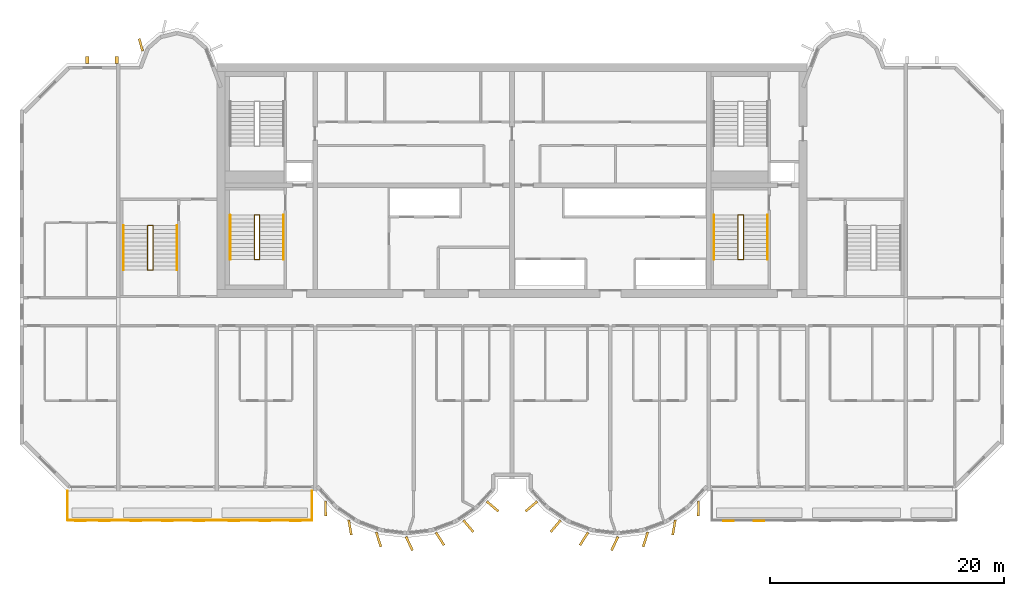
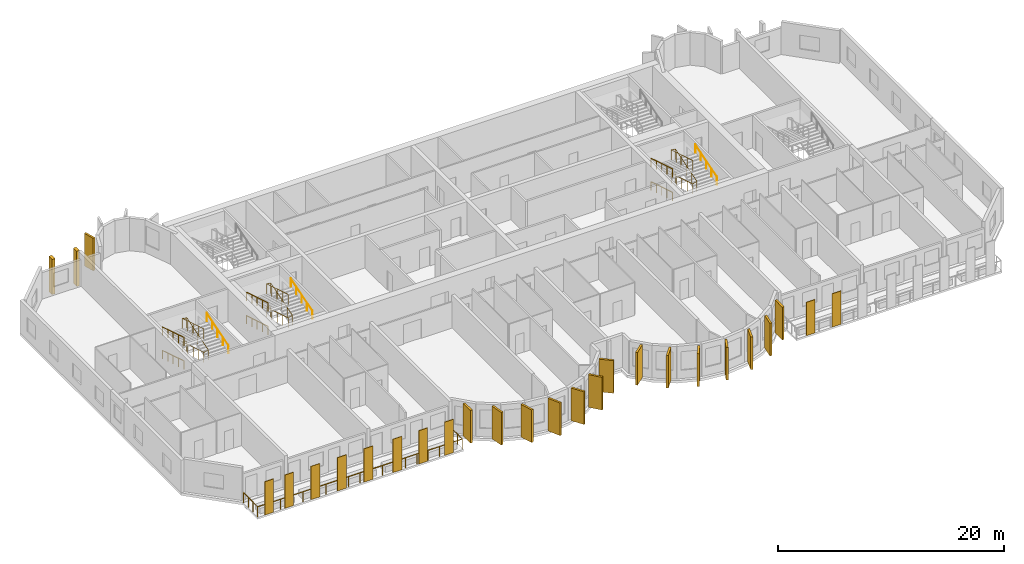
# One storey, part 11 of 13: 27 coverings, 13 railings.
"""IFC4 building model written with IfcOpenShell, lengths in metres."""

import ifcopenshell
import ifcopenshell.guid

model = None  # the IFC model being written
_history = None  # IfcOwnerHistory: only IFC2X3 demands one
_inside = {}  # id of a spatial element -> (the spatial element, [elements in it])
_under = {}  # id of a project, library or spatial element -> (it, [spatial elements below it])
_declared = {}  # id of a project -> (the project, [libraries it declares])
_typed = {}  # id of a type object -> (the type object, [elements of that type])
_made_of = {}  # id of a material, layer set ... -> (it, [elements and type objects made of it])


def new_model(schema):
    """Start an empty IFC model of exactly this schema.

    Asked for "IFC4X3", IfcOpenShell would pick the latest addendum, in which some entities
    have other attributes; the version numbers below select the first issue.
    IFC2X3 requires an IfcOwnerHistory on every rooted entity: one is made here for all.
    """
    global model, _history
    if schema == "IFC4X3":
        model = ifcopenshell.file(schema_version=(4, 3, 0, 0))
    else:
        model = ifcopenshell.file(schema=schema)
    _inside.clear()
    _under.clear()
    _declared.clear()
    _typed.clear()
    _made_of.clear()
    _history = None
    if model.schema == "IFC2X3":
        org = make("IfcOrganization", Name="unknown")
        user = make(
            "IfcPersonAndOrganization",
            ThePerson=make("IfcPerson", FamilyName="unknown"),
            TheOrganization=org,
        )
        app = make(
            "IfcApplication",
            ApplicationDeveloper=org,
            Version="unknown",
            ApplicationFullName="unknown",
            ApplicationIdentifier="unknown",
        )
        _history = make(
            "IfcOwnerHistory",
            OwningUser=user,
            OwningApplication=app,
            ChangeAction="ADDED",
            CreationDate=0,
        )
    return model


def make(cls, **values):
    """One entity of the class cls with the attributes given. An attribute that is None is left unset."""
    return model.create_entity(
        cls, **{name: value for name, value in values.items() if value is not None}
    )


def rooted(cls, **values):
    """An entity with a GlobalId (a new one), such as an element, a storey or a relation."""
    return make(cls, GlobalId=ifcopenshell.guid.new(), OwnerHistory=_history, **values)


def si_unit(unit_type, name, prefix=None):
    """IfcSIUnit, for example si_unit("LENGTHUNIT", "METRE", prefix="MILLI")."""
    return make("IfcSIUnit", UnitType=unit_type, Prefix=prefix, Name=name)


def assignment(units):
    """IfcUnitAssignment: the units of a project."""
    return None if units is None else make("IfcUnitAssignment", Units=units)


def point(xyz):
    """IfcCartesianPoint."""
    return None if xyz is None else make("IfcCartesianPoint", Coordinates=xyz)


def direction(xyz):
    """IfcDirection."""
    return None if xyz is None else make("IfcDirection", DirectionRatios=xyz)


def frame(location, z_axis=None, x_axis=None):
    """IfcAxis2Placement3D, a coordinate frame: its origin and axes. An axis left out is left unset."""
    return make(
        "IfcAxis2Placement3D",
        Location=point(location),
        Axis=direction(z_axis),
        RefDirection=direction(x_axis),
    )


def frame_2d(location, x_axis=None):
    """IfcAxis2Placement2D, a coordinate frame in the plane: its origin and x axis."""
    return make(
        "IfcAxis2Placement2D", Location=point(location), RefDirection=direction(x_axis)
    )


def origin():
    """The frame at (0, 0, 0) with its axes left unset."""
    return frame((0.0, 0.0, 0.0))


def origin_2d():
    """The frame at (0, 0) in the plane with its x axis left unset."""
    return frame_2d((0.0, 0.0))


def place(relative_to, where):
    """IfcLocalPlacement: puts the frame where relative to a parent placement (None: the world)."""
    return make(
        "IfcLocalPlacement", PlacementRelTo=relative_to, RelativePlacement=where
    )


def context(
    kind, dimensions, precision=None, world=None, true_north=None, identifier=None
):
    """IfcGeometricRepresentationContext, for example the 3D "Model" context."""
    return make(
        "IfcGeometricRepresentationContext",
        ContextIdentifier=identifier,
        ContextType=kind,
        CoordinateSpaceDimension=dimensions,
        Precision=precision,
        WorldCoordinateSystem=world,
        TrueNorth=true_north,
    )


def subcontext(parent, identifier, kind, view, scale=None):
    """IfcGeometricRepresentationSubContext, for example "Body" below "Model"."""
    return make(
        "IfcGeometricRepresentationSubContext",
        ContextIdentifier=identifier,
        ContextType=kind,
        ParentContext=parent,
        TargetScale=scale,
        TargetView=view,
    )


def project(units=None, contexts=None):
    """IfcProject with its units and contexts."""
    return rooted(
        "IfcProject",
        Name="project",
        RepresentationContexts=contexts,
        UnitsInContext=assignment(units),
    )


def spatial(cls, under=None, at=None, **own):
    """A site, building, storey or space (cls), placed at a placement, below another one or the project."""
    s = rooted(cls, ObjectPlacement=at, **own)
    if under is not None:
        _under.setdefault(under.id(), (under, []))[1].append(s)
    return s


def profile(cls, at=None, kind="AREA", **sizes):
    """A parametric profile (cls). Its sizes go by their IFC names, for example OverallWidth=200.0."""
    return make(cls, ProfileType=kind, Position=at, **sizes)


def rectangle(**sizes):
    """IfcRectangleProfileDef."""
    return profile("IfcRectangleProfileDef", **sizes)


def circle(**sizes):
    """IfcCircleProfileDef."""
    return profile("IfcCircleProfileDef", **sizes)


def extrude(swept, where, along, depth):
    """IfcExtrudedAreaSolid: the profile swept, set in the frame where, extruded along a direction by depth."""
    return make(
        "IfcExtrudedAreaSolid",
        SweptArea=swept,
        Position=where,
        ExtrudedDirection=direction(along),
        Depth=depth,
    )


def shape(context_of_items, identifier, shape_type, items):
    """IfcShapeRepresentation: the items that make up one representation, for example the "Body"."""
    return make(
        "IfcShapeRepresentation",
        ContextOfItems=context_of_items,
        RepresentationIdentifier=identifier,
        RepresentationType=shape_type,
        Items=items,
    )


def source(mapping_origin, context_of_items, identifier, shape_type, items):
    """IfcRepresentationMap: a shape defined once, which mapped items show again and again."""
    return make(
        "IfcRepresentationMap",
        MappingOrigin=mapping_origin,
        MappedRepresentation=shape(context_of_items, identifier, shape_type, items),
    )


def transform(
    local_origin,
    x_axis=None,
    y_axis=None,
    z_axis=None,
    scale=None,
    scale2=None,
    scale3=None,
    uniform=True,
):
    """IfcCartesianTransformationOperator3D, or its non-uniform kind. x_axis, y_axis, z_axis: its Axis1, 2, 3."""
    if uniform:
        return make(
            "IfcCartesianTransformationOperator3D",
            Axis1=direction(x_axis),
            Axis2=direction(y_axis),
            LocalOrigin=point(local_origin),
            Scale=scale,
            Axis3=direction(z_axis),
        )
    return make(
        "IfcCartesianTransformationOperator3DnonUniform",
        Axis1=direction(x_axis),
        Axis2=direction(y_axis),
        LocalOrigin=point(local_origin),
        Scale=scale,
        Axis3=direction(z_axis),
        Scale2=scale2,
        Scale3=scale3,
    )


def mapped(mapping_source, mapping_target):
    """IfcMappedItem: shows the shape of a source again, moved by a transform."""
    return make(
        "IfcMappedItem", MappingSource=mapping_source, MappingTarget=mapping_target
    )


def material(Name=None, Category=None):
    """IfcMaterial."""
    return make("IfcMaterial", Name=Name, Category=Category)


def layer(
    of_material, thickness, ventilated=None, Name=None, Category=None, Priority=None
):
    """IfcMaterialLayer: one layer of a wall or slab, of a material (None: an air gap)."""
    return make(
        "IfcMaterialLayer",
        Material=of_material,
        LayerThickness=thickness,
        IsVentilated=ventilated,
        Name=Name,
        Category=Category,
        Priority=Priority,
    )


def layer_set(layers, Name=None):
    """IfcMaterialLayerSet."""
    return make("IfcMaterialLayerSet", MaterialLayers=layers, LayerSetName=Name)


def material_profile(
    of_material, cross_section, Name=None, Category=None, Priority=None
):
    """IfcMaterialProfile: a cross section and its material."""
    return make(
        "IfcMaterialProfile",
        Name=Name,
        Material=of_material,
        Profile=cross_section,
        Priority=Priority,
        Category=Category,
    )


def profile_set(profiles, Name=None, composite=None):
    """IfcMaterialProfileSet."""
    return make(
        "IfcMaterialProfileSet",
        Name=Name,
        MaterialProfiles=profiles,
        CompositeProfile=composite,
    )


def made_of(thing, what):
    """Note that an element or type object is made of a material, layer set ...; save() writes the relation."""
    if what is not None:
        _made_of.setdefault(what.id(), (what, []))[1].append(thing)
    return thing


def type_object(cls, material=None, **own):
    """A type object (cls), such as IfcWallType, which elements share."""
    return made_of(rooted(cls, **own), material)


def element(
    cls,
    number,
    at=None,
    inside=None,
    cuts=None,
    type_object=None,
    material=None,
    context=None,
    identifier="Body",
    shape_type=None,
    held_by="IfcProductDefinitionShape",
    body=None,
    shapes=None,
    **own,
):
    """One element of the class cls, such as IfcWall. Its Tag is "e" and its number.

    at: its placement. inside: the storey or other place that contains it. cuts: it is an
    opening in that element (IfcRelVoidsElement). A single representation is given by context,
    identifier, shape_type and body (its items); several are given by shapes. held_by: the class
    of the entity that holds the representations. save() writes the other relations.
    """
    e = rooted(cls, Tag="e%d" % number, ObjectPlacement=at, **own)
    if body is not None:
        shapes = [shape(context, identifier, shape_type, body)]
    if shapes is not None:
        e.Representation = make(held_by, Representations=shapes)
    if inside is not None:
        _inside.setdefault(inside.id(), (inside, []))[1].append(e)
    if cuts is not None:
        rooted(
            "IfcRelVoidsElement", RelatingBuildingElement=cuts, RelatedOpeningElement=e
        )
    if type_object is not None:
        _typed.setdefault(type_object.id(), (type_object, []))[1].append(e)
    return made_of(e, material)


def aggregate(whole, parts):
    """IfcRelAggregates: a whole, such as a stair, and the parts it consists of."""
    return rooted("IfcRelAggregates", RelatingObject=whole, RelatedObjects=parts)


def save(model, path):
    """Write the relations noted so far, then the file.

    IfcRelAggregates (storeys below a building ...), IfcRelContainedInSpatialStructure (elements
    in a storey), IfcRelDefinesByType, IfcRelAssociatesMaterial and IfcRelDeclares: one each for
    every whole, place, type object, material and project.
    """
    for whole, parts in _under.values():
        aggregate(whole, parts)
    for where, things in _inside.values():
        rooted(
            "IfcRelContainedInSpatialStructure",
            RelatedElements=things,
            RelatingStructure=where,
        )
    for kind, things in _typed.values():
        rooted("IfcRelDefinesByType", RelatedObjects=things, RelatingType=kind)
    for what, things in _made_of.values():
        rooted("IfcRelAssociatesMaterial", RelatedObjects=things, RelatingMaterial=what)
    for by, libraries in _declared.values():
        rooted("IfcRelDeclares", RelatingContext=by, RelatedDefinitions=libraries)
    model.write(path)


model = new_model("IFC4")

# Units and contexts
model_context = context("Model", 3, precision=1e-05, world=origin(), true_north=direction((0.0, 1.0)))
body_context = subcontext(model_context, "Body", "Model", "MODEL_VIEW")
ifc_project = project(units=[si_unit("LENGTHUNIT", "METRE"), si_unit("AREAUNIT", "SQUARE_METRE"), si_unit("VOLUMEUNIT", "CUBIC_METRE"), si_unit("PLANEANGLEUNIT", "RADIAN"), si_unit("MASSUNIT", "GRAM", prefix="KILO")], contexts=[model_context])

# Site, building, storey
site_placement = place(None, origin())
site = spatial("IfcSite", under=ifc_project, at=site_placement, CompositionType="ELEMENT")
building_placement = place(site_placement, origin())
building = spatial("IfcBuilding", under=site, at=building_placement, Name="Vanashikhar Sky Hotel", CompositionType="ELEMENT")
storey_placement = place(building_placement, frame((0.0, 0.0, 159.199951171875)))
storey = spatial("IfcBuildingStorey", under=building, at=storey_placement, Name="L38", CompositionType="ELEMENT", Elevation=159.199951171875)

# Coverings
ifc_material_1 = material(Name="Terracotta", Category="masonry")
ifc_layer = layer(ifc_material_1, 0.06005859375)
ifc_layer_set = layer_set([ifc_layer], Name="Terracotta baguette screen")
covering_type_1 = type_object("IfcCoveringType", Name="Terracotta baguette screen", PredefinedType="CLADDING", material=ifc_layer_set)
shared_shape_1 = source(origin(), body_context, "Body", "SweptSolid", [
    extrude(rectangle(XDim=0.89990234375, YDim=0.06005859375, at=origin_2d()), origin(), (0.0, 0.0, 1.0), 3.60009765625),
])
for number, where, z_axis, x_axis, name in (
    (1, (13.574951171875, 2.929931640625, -0.050048828125), (0.0, 0.0, 1.0), (1.0, 0.0, 0.0), "Terracotta screen"),
    (2, (15.625, 2.929931640625, -0.050048828125), (0.0, 0.0, 1.0), (1.0, 0.0, 0.0), "Terracotta screen"),
    (3, (18.300048828125, 2.929931640625, -0.050048828125), (0.0, 0.0, 1.0), (1.0, 0.0, 0.0), "Terracotta screen"),
    (4, (21.0, 2.929931640625, -0.050048828125), (0.0, 0.0, 1.0), (1.0, 0.0, 0.0), "Terracotta screen"),
    (5, (23.699951171875, 2.929931640625, -0.050048828125), (0.0, 0.0, 1.0), (1.0, 0.0, 0.0), "Terracotta screen"),
    (6, (26.666748046875, 2.929931640625, -0.050048828125), (0.0, 0.0, 1.0), (1.0, 0.0, 0.0), "Terracotta screen"),
    (7, (29.300048828125, 2.929931640625, -0.050048828125), (0.0, 0.0, 1.0), (1.0, 0.0, 0.0), "Terracotta screen"),
    (8, (31.933349609375, 2.929931640625, -0.050048828125), (0.0, 0.0, 1.0), (1.0, 0.0, 0.0), "Terracotta screen"),
    (9, (68.86669921875, 2.929931640625, -0.050048828125), (0.0, 0.0, 1.0), (1.0, 0.0, 0.0), "Terracotta screen"),
    (10, (71.5, 2.929931640625, -0.050048828125), (0.0, 0.0, 1.0), (1.0, 0.0, 0.0), "Terracotta screen"),
):
    element("IfcCovering", number, at=place(storey_placement, frame(where, z_axis=z_axis, x_axis=x_axis)), inside=storey, type_object=covering_type_1, Name=name, PredefinedType="CLADDING", context=body_context, shape_type="MappedRepresentation", body=[
        mapped(shared_shape_1, transform((0.0, 0.0, 0.0), scale=1.0)),
    ])
ifc_material_2 = material(Name="Concrete M60 dark", Category="concrete")
ifc_material_profile_1 = material_profile(ifc_material_2, rectangle(XDim=1.300048828125, YDim=0.199951171875, at=origin_2d()))
ifc_profile_set_1 = profile_set([ifc_material_profile_1], Name="Fin 1300 x 200")
covering_type_2 = type_object("IfcCoveringType", Name="Fin 1300 x 200", PredefinedType="CLADDING", material=ifc_profile_set_1)
shared_shape_2 = source(origin(), body_context, "Body", "SweptSolid", [
    extrude(rectangle(XDim=1.300048828125, YDim=0.199951171875, at=origin_2d()), origin(), (0.0, 0.0, 1.0), 3.52001953125),
])
for number, where, z_axis, x_axis, name in (
    (11, (34.482421875, 3.992919921875, 0.0), (0.0, 0.0, 1.0), (0.011588726826, -0.999932848451, 0.0), "Fin F1-1"),
    (12, (36.572509765625, 2.3779296875, 0.0), (0.0, 0.0, 1.0), (0.16989991575, -0.985461322746, 0.0), "Fin F1-2"),
    (13, (39.00830078125, 1.35693359375, 0.0), (0.0, 0.0, 1.0), (0.303966551867, -0.952682704444, 0.0), "Fin F1-3"),
    (14, (41.63232421875, 1.00146484375, 0.0), (0.0, 0.0, 1.0), (0.422618261741, -0.906307787037, 0.0), "Fin F1-4"),
    (15, (44.251953125, 1.416015625, 0.0), (0.0, 0.0, 1.0), (0.534411358496, -0.845224526331, 0.0), "Fin F1-5"),
    (16, (46.676025390625, 2.5, 0.0), (0.0, 0.0, 1.0), (0.645697609467, -0.763593214433, 0.0), "Fin F1-6"),
    (17, (48.7412109375, 4.1845703125, 0.0), (0.0, 0.0, 1.0), (0.758543912032, -0.65162192529, 0.0), "Fin F1-7"),
    (18, (52.058837890625, 4.1845703125, 0.0), (0.0, 0.0, 1.0), (-0.758543912032, -0.65162192529, 0.0), "Fin F2-1"),
    (19, (54.123779296875, 2.5, 0.0), (0.0, 0.0, 1.0), (-0.645697609467, -0.763593214433, 0.0), "Fin F2-2"),
    (20, (56.547119140625, 1.416015625, 0.0), (0.0, 0.0, 1.0), (-0.534411358496, -0.845224526331, 0.0), "Fin F2-3"),
    (21, (59.16748046875, 1.00146484375, 0.0), (0.0, 0.0, 1.0), (-0.422618261741, -0.906307787037, 0.0), "Fin F2-4"),
    (22, (61.790771484375, 1.35693359375, 0.0), (0.0, 0.0, 1.0), (-0.303966551867, -0.952682704444, 0.0), "Fin F2-5"),
    (23, (64.2275390625, 2.3779296875, 0.0), (0.0, 0.0, 1.0), (-0.16989991575, -0.985461322746, 0.0), "Fin F2-6"),
    (24, (66.317626953125, 3.992919921875, 0.0), (0.0, 0.0, 1.0), (-0.011588726826, -0.999932848451, 0.0), "Fin F2-7"),
):
    element("IfcCovering", number, at=place(storey_placement, frame(where, z_axis=z_axis, x_axis=x_axis)), inside=storey, type_object=covering_type_2, Name=name, PredefinedType="CLADDING", context=body_context, shape_type="MappedRepresentation", body=[
        mapped(shared_shape_2, transform((0.0, 0.0, 0.0), scale=1.0)),
    ])
ifc_material_profile_2 = material_profile(ifc_material_2, rectangle(XDim=1.10009765625, YDim=0.199951171875, at=origin_2d()))
ifc_profile_set_2 = profile_set([ifc_material_profile_2], Name="Rear lobe fin 1100 x 200")
covering_type_3 = type_object("IfcCoveringType", Name="Rear lobe fin 1100 x 200", PredefinedType="CLADDING", material=ifc_profile_set_2)
shared_shape_3 = source(origin(), body_context, "Body", "SweptSolid", [
    extrude(rectangle(XDim=1.10009765625, YDim=0.199951171875, at=origin_2d()), origin(), (0.0, 0.0, 1.0), 3.52001953125),
])
covering_placement = place(storey_placement, frame((18.720703125, 43.580078125, 0.0), z_axis=(0.0, 0.0, 1.0), x_axis=(-0.262711264409, 0.964874495234, 0.0)))
element("IfcCovering", 25, at=covering_placement, inside=storey, type_object=covering_type_3, Name="Fin R1-1", PredefinedType="CLADDING", context=body_context, shape_type="MappedRepresentation", body=[
    mapped(shared_shape_3, transform((0.0, 0.0, 0.0), scale=1.0)),
])

# Railing
ifc_material_3 = material(Name="Stainless steel 316", Category="steel")
railing_type_1 = type_object("IfcRailingType", Name="Balcony guard 1100", PredefinedType="GUARDRAIL", material=ifc_material_3)
shared_shape_4 = source(origin(), body_context, "Body", "SweptSolid", [
    extrude(circle(Radius=0.02392578125, at=origin_2d()), frame((0.0, 0.0, 1.076171875), z_axis=(0.0, -1.0, 0.0), x_axis=(1.0, 0.0, 0.0)), (0.0, 0.0, 1.0), 2.5),
    extrude(circle(Radius=0.02392578125, at=origin_2d()), frame((0.0, -2.5, 1.076171875), z_axis=(1.0, 0.0, 0.0), x_axis=(0.0, 1.0, 0.0)), (0.0, 0.0, 1.0), 20.880126953125),
    extrude(circle(Radius=0.02392578125, at=origin_2d()), frame((20.880126953125, -2.5, 1.076171875), z_axis=(0.0, 1.0, 0.0), x_axis=(-1.0, 0.0, 0.0)), (0.0, 0.0, 1.0), 2.5),
    extrude(circle(Radius=0.02099609375, at=origin_2d()), origin(), (0.0, 0.0, 1.0), 1.052001953125),
    extrude(circle(Radius=0.02099609375, at=origin_2d()), frame((0.0, -0.833251953125, 0.0)), (0.0, 0.0, 1.0), 1.052001953125),
    extrude(circle(Radius=0.02099609375, at=origin_2d()), frame((0.0, -1.666748046875, 0.0)), (0.0, 0.0, 1.0), 1.052001953125),
    extrude(circle(Radius=0.02099609375, at=origin_2d()), frame((0.0, -2.5, 0.0)), (0.0, 0.0, 1.0), 1.052001953125),
    extrude(circle(Radius=0.02099609375, at=origin_2d()), frame((1.159912109375, -2.5, 0.0)), (0.0, 0.0, 1.0), 1.052001953125),
    extrude(circle(Radius=0.02099609375, at=origin_2d()), frame((2.320068359375, -2.5, 0.0)), (0.0, 0.0, 1.0), 1.052001953125),
    extrude(circle(Radius=0.02099609375, at=origin_2d()), frame((3.47998046875, -2.5, 0.0)), (0.0, 0.0, 1.0), 1.052001953125),
    extrude(circle(Radius=0.02099609375, at=origin_2d()), frame((4.64013671875, -2.5, 0.0)), (0.0, 0.0, 1.0), 1.052001953125),
    extrude(circle(Radius=0.02099609375, at=origin_2d()), frame((5.800048828125, -2.5, 0.0)), (0.0, 0.0, 1.0), 1.052001953125),
    extrude(circle(Radius=0.02099609375, at=origin_2d()), frame((6.9599609375, -2.5, 0.0)), (0.0, 0.0, 1.0), 1.052001953125),
    extrude(circle(Radius=0.02099609375, at=origin_2d()), frame((8.1201171875, -2.5, 0.0)), (0.0, 0.0, 1.0), 1.052001953125),
    extrude(circle(Radius=0.02099609375, at=origin_2d()), frame((9.280029296875, -2.5, 0.0)), (0.0, 0.0, 1.0), 1.052001953125),
    extrude(circle(Radius=0.02099609375, at=origin_2d()), frame((10.43994140625, -2.5, 0.0)), (0.0, 0.0, 1.0), 1.052001953125),
    extrude(circle(Radius=0.02099609375, at=origin_2d()), frame((11.60009765625, -2.5, 0.0)), (0.0, 0.0, 1.0), 1.052001953125),
    extrude(circle(Radius=0.02099609375, at=origin_2d()), frame((12.760009765625, -2.5, 0.0)), (0.0, 0.0, 1.0), 1.052001953125),
    extrude(circle(Radius=0.02099609375, at=origin_2d()), frame((13.920166015625, -2.5, 0.0)), (0.0, 0.0, 1.0), 1.052001953125),
    extrude(circle(Radius=0.02099609375, at=origin_2d()), frame((15.080078125, -2.5, 0.0)), (0.0, 0.0, 1.0), 1.052001953125),
    extrude(circle(Radius=0.02099609375, at=origin_2d()), frame((16.239990234375, -2.5, 0.0)), (0.0, 0.0, 1.0), 1.052001953125),
    extrude(circle(Radius=0.02099609375, at=origin_2d()), frame((17.400146484375, -2.5, 0.0)), (0.0, 0.0, 1.0), 1.052001953125),
    extrude(circle(Radius=0.02099609375, at=origin_2d()), frame((18.56005859375, -2.5, 0.0)), (0.0, 0.0, 1.0), 1.052001953125),
    extrude(circle(Radius=0.02099609375, at=origin_2d()), frame((19.72021484375, -2.5, 0.0)), (0.0, 0.0, 1.0), 1.052001953125),
    extrude(circle(Radius=0.02099609375, at=origin_2d()), frame((20.880126953125, -2.5, 0.0)), (0.0, 0.0, 1.0), 1.052001953125),
    extrude(circle(Radius=0.02099609375, at=origin_2d()), frame((20.880126953125, -1.666748046875, 0.0)), (0.0, 0.0, 1.0), 1.052001953125),
    extrude(circle(Radius=0.02099609375, at=origin_2d()), frame((20.880126953125, -0.833251953125, 0.0)), (0.0, 0.0, 1.0), 1.052001953125),
    extrude(circle(Radius=0.02099609375, at=origin_2d()), frame((20.880126953125, 0.0, 0.0)), (0.0, 0.0, 1.0), 1.052001953125),
])
railing_1_placement = place(storey_placement, frame((12.4599609375, 5.5, -0.050048828125)))
element("IfcRailing", 26, at=railing_1_placement, inside=storey, type_object=railing_type_1, Name="Balcony guard", PredefinedType="GUARDRAIL", context=body_context, shape_type="MappedRepresentation", body=[
    mapped(shared_shape_4, transform((0.0, 0.0, 0.0), scale=1.0)),
])

# Coverings
ifc_material_profile_3 = material_profile(ifc_material_2, rectangle(XDim=0.60009765625, YDim=0.300048828125, at=origin_2d()))
ifc_profile_set_3 = profile_set([ifc_material_profile_3], Name="Rear rib 600 x 300")
covering_type_4 = type_object("IfcCoveringType", Name="Rear rib 600 x 300", PredefinedType="CLADDING", material=ifc_profile_set_3)
shared_shape_5 = source(origin(), body_context, "Body", "SweptSolid", [
    extrude(rectangle(XDim=0.60009765625, YDim=0.300048828125, at=origin_2d()), origin(), (0.0, 0.0, 1.0), 3.800048828125),
])
for number, where, z_axis, x_axis, name in (
    (27, (14.14990234375, 42.300048828125, -0.280029296875), (0.0, 0.0, 1.0), (0.0, 1.0, 0.0), "Rear rib"),
    (28, (16.64990234375, 42.300048828125, -0.280029296875), (0.0, 0.0, 1.0), (0.0, 1.0, 0.0), "Rear rib"),
):
    element("IfcCovering", number, at=place(storey_placement, frame(where, z_axis=z_axis, x_axis=x_axis)), inside=storey, type_object=covering_type_4, Name=name, PredefinedType="CLADDING", context=body_context, shape_type="MappedRepresentation", body=[
        mapped(shared_shape_5, transform((0.0, 0.0, 0.0), scale=1.0)),
    ])

# Railings
ifc_material_4 = material(Name="Steel S355", Category="steel")
railing_type_2 = type_object("IfcRailingType", Name="Stair handrail 900", PredefinedType="HANDRAIL", material=ifc_material_4)
shared_shape_6 = source(origin(), body_context, "Body", "SweptSolid", [
    extrude(circle(Radius=0.02392578125, at=origin_2d()), frame((0.0, 0.0, 0.8759765625), z_axis=(0.0, 0.95635109408, 0.292220096591), x_axis=(-1.0, 0.0, 0.0)), (0.0, 0.0, 1.0), 3.973388671875),
    extrude(circle(Radius=0.02099609375, at=origin_2d()), origin(), (0.0, 0.0, 1.0), 0.851806640625),
    extrude(circle(Radius=0.02099609375, at=origin_2d()), frame((0.0, 0.949951171875, 0.290283203125)), (0.0, 0.0, 1.0), 0.851806640625),
    extrude(circle(Radius=0.02099609375, at=origin_2d()), frame((0.0, 1.89990234375, 0.58056640625)), (0.0, 0.0, 1.0), 0.851806640625),
    extrude(circle(Radius=0.02099609375, at=origin_2d()), frame((0.0, 2.85009765625, 0.870849609375)), (0.0, 0.0, 1.0), 0.851806640625),
    extrude(circle(Radius=0.02099609375, at=origin_2d()), frame((0.0, 3.800048828125, 1.1611328125)), (0.0, 0.0, 1.0), 0.851806640625),
])
for number, where, name in (
    (29, (30.89990234375, 25.25, 1.372314453125), "Exit stair 1 handrail"),
    (30, (72.199951171875, 25.25, 1.372314453125), "Exit stair 2 handrail"),
):
    element("IfcRailing", number, at=place(storey_placement, frame(where)), inside=storey, type_object=railing_type_2, Name=name, PredefinedType="HANDRAIL", context=body_context, shape_type="MappedRepresentation", body=[
        mapped(shared_shape_6, transform((0.0, 0.0, 0.0), scale=1.0)),
    ])
shared_shape_7 = source(origin(), body_context, "Body", "SweptSolid", [
    extrude(circle(Radius=0.02392578125, at=origin_2d()), frame((0.0, 0.0, 0.8759765625), z_axis=(0.0, -0.95635109408, 0.292220096591), x_axis=(1.0, 0.0, 0.0)), (0.0, 0.0, 1.0), 3.973388671875),
    extrude(circle(Radius=0.02099609375, at=origin_2d()), origin(), (0.0, 0.0, 1.0), 0.851806640625),
    extrude(circle(Radius=0.02099609375, at=origin_2d()), frame((0.0, -0.949951171875, 0.290283203125)), (0.0, 0.0, 1.0), 0.851806640625),
    extrude(circle(Radius=0.02099609375, at=origin_2d()), frame((0.0, -1.89990234375, 0.58056640625)), (0.0, 0.0, 1.0), 0.851806640625),
    extrude(circle(Radius=0.02099609375, at=origin_2d()), frame((0.0, -2.85009765625, 0.870849609375)), (0.0, 0.0, 1.0), 0.851806640625),
    extrude(circle(Radius=0.02099609375, at=origin_2d()), frame((0.0, -3.800048828125, 1.1611328125)), (0.0, 0.0, 1.0), 0.851806640625),
])
for number, where, name in (
    (31, (26.35009765625, 29.050048828125, 2.638916015625), "Exit stair 1 handrail"),
    (32, (67.64990234375, 29.050048828125, 2.638916015625), "Exit stair 2 handrail"),
):
    element("IfcRailing", number, at=place(storey_placement, frame(where)), inside=storey, type_object=railing_type_2, Name=name, PredefinedType="HANDRAIL", context=body_context, shape_type="MappedRepresentation", body=[
        mapped(shared_shape_7, transform((0.0, 0.0, 0.0), scale=1.0)),
    ])
railing_type_3 = type_object("IfcRailingType", Name="Stair guard 1100", PredefinedType="GUARDRAIL", material=ifc_material_4)
shared_shape_8 = source(origin(), body_context, "Body", "SweptSolid", [
    extrude(circle(Radius=0.02392578125, at=origin_2d()), frame((0.0, 0.0, 1.076171875), z_axis=(-0.973520925263, 0.0, 0.228597917917), x_axis=(0.0, -1.0, 0.0)), (0.0, 0.0, 1.0), 0.46240234375),
    extrude(circle(Radius=0.02392578125, at=origin_2d()), frame((-0.4501953125, 0.0, 1.181640625), z_axis=(0.0, -0.956368263741, 0.292163899395), x_axis=(1.0, 0.0, 0.0)), (0.0, 0.0, 1.0), 3.973388671875),
    extrude(circle(Radius=0.02392578125, at=origin_2d()), frame((-0.4501953125, -3.800048828125, 2.3427734375), z_axis=(0.973520925263, 0.0, 0.228597917917), x_axis=(0.0, 1.0, 0.0)), (0.0, 0.0, 1.0), 0.46240234375),
    extrude(circle(Radius=0.02392578125, at=origin_2d()), frame((0.0, -3.800048828125, 2.4482421875), z_axis=(0.0, 0.95635109408, 0.292220096591), x_axis=(-1.0, 0.0, 0.0)), (0.0, 0.0, 1.0), 3.973388671875),
    extrude(circle(Radius=0.02392578125, at=origin_2d()), frame((0.0, 0.0, 3.609375), z_axis=(-0.973638301096, 0.0, 0.228097476179), x_axis=(0.0, -1.0, 0.0)), (0.0, 0.0, 1.0), 0.46240234375),
    extrude(circle(Radius=0.02392578125, at=origin_2d()), frame((-0.4501953125, 0.0, 3.71484375), z_axis=(0.0, -0.95635109408, 0.292220096591), x_axis=(1.0, 0.0, 0.0)), (0.0, 0.0, 1.0), 3.973388671875),
    extrude(circle(Radius=0.02099609375, at=origin_2d()), origin(), (0.0, 0.0, 1.0), 1.052001953125),
    extrude(circle(Radius=0.02099609375, at=origin_2d()), frame((-0.4501953125, 0.0, 0.105712890625)), (0.0, 0.0, 1.0), 1.052001953125),
    extrude(circle(Radius=0.02099609375, at=origin_2d()), frame((-0.4501953125, -0.949951171875, 0.39599609375)), (0.0, 0.0, 1.0), 1.052001953125),
    extrude(circle(Radius=0.02099609375, at=origin_2d()), frame((-0.4501953125, -1.89990234375, 0.68603515625)), (0.0, 0.0, 1.0), 1.052001953125),
    extrude(circle(Radius=0.02099609375, at=origin_2d()), frame((-0.4501953125, -2.85009765625, 0.976318359375)), (0.0, 0.0, 1.0), 1.052001953125),
    extrude(circle(Radius=0.02099609375, at=origin_2d()), frame((-0.4501953125, -3.800048828125, 1.2666015625)), (0.0, 0.0, 1.0), 1.052001953125),
    extrude(circle(Radius=0.02099609375, at=origin_2d()), frame((0.0, -3.800048828125, 1.372314453125)), (0.0, 0.0, 1.0), 1.052001953125),
    extrude(circle(Radius=0.02099609375, at=origin_2d()), frame((0.0, -2.85009765625, 1.66259765625)), (0.0, 0.0, 1.0), 1.052001953125),
    extrude(circle(Radius=0.02099609375, at=origin_2d()), frame((0.0, -1.89990234375, 1.952880859375)), (0.0, 0.0, 1.0), 1.052001953125),
    extrude(circle(Radius=0.02099609375, at=origin_2d()), frame((0.0, -0.949951171875, 2.2431640625)), (0.0, 0.0, 1.0), 1.052001953125),
    extrude(circle(Radius=0.02099609375, at=origin_2d()), frame((0.0, 0.0, 2.533447265625)), (0.0, 0.0, 1.0), 1.052001953125),
    extrude(circle(Radius=0.02099609375, at=origin_2d()), frame((-0.4501953125, 0.0, 2.638916015625)), (0.0, 0.0, 1.0), 1.052001953125),
    extrude(circle(Radius=0.02099609375, at=origin_2d()), frame((-0.4501953125, -0.949951171875, 2.92919921875)), (0.0, 0.0, 1.0), 1.052001953125),
    extrude(circle(Radius=0.02099609375, at=origin_2d()), frame((-0.4501953125, -1.89990234375, 3.219482421875)), (0.0, 0.0, 1.0), 1.052001953125),
    extrude(circle(Radius=0.02099609375, at=origin_2d()), frame((-0.4501953125, -2.85009765625, 3.509765625)), (0.0, 0.0, 1.0), 1.052001953125),
    extrude(circle(Radius=0.02099609375, at=origin_2d()), frame((-0.4501953125, -3.800048828125, 3.800048828125)), (0.0, 0.0, 1.0), 1.052001953125),
])
railing_2_placement = place(storey_placement, frame((28.85009765625, 29.050048828125, 0.0)))
element("IfcRailing", 33, at=railing_2_placement, inside=storey, type_object=railing_type_3, Name="Exit stair 1 guard", PredefinedType="GUARDRAIL", context=body_context, shape_type="MappedRepresentation", body=[
    mapped(shared_shape_8, transform((0.0, 0.0, 0.0), scale=1.0)),
])
shared_shape_9 = source(origin(), body_context, "Body", "SweptSolid", [
    extrude(circle(Radius=0.02392578125, at=origin_2d()), frame((0.0, 0.0, 0.8759765625), z_axis=(0.0, -0.956368263741, 0.292163899395), x_axis=(1.0, 0.0, 0.0)), (0.0, 0.0, 1.0), 3.973388671875),
    extrude(circle(Radius=0.02099609375, at=origin_2d()), origin(), (0.0, 0.0, 1.0), 0.851806640625),
    extrude(circle(Radius=0.02099609375, at=origin_2d()), frame((0.0, -0.949951171875, 0.290283203125)), (0.0, 0.0, 1.0), 0.851806640625),
    extrude(circle(Radius=0.02099609375, at=origin_2d()), frame((0.0, -1.89990234375, 0.58056640625)), (0.0, 0.0, 1.0), 0.851806640625),
    extrude(circle(Radius=0.02099609375, at=origin_2d()), frame((0.0, -2.85009765625, 0.87060546875)), (0.0, 0.0, 1.0), 0.851806640625),
    extrude(circle(Radius=0.02099609375, at=origin_2d()), frame((0.0, -3.800048828125, 1.160888671875)), (0.0, 0.0, 1.0), 0.851806640625),
])
for number, where, name in (
    (34, (26.35009765625, 29.050048828125, 0.105712890625), "Exit stair 1 handrail"),
    (35, (67.64990234375, 29.050048828125, 0.105712890625), "Exit stair 2 handrail"),
):
    element("IfcRailing", number, at=place(storey_placement, frame(where)), inside=storey, type_object=railing_type_2, Name=name, PredefinedType="HANDRAIL", context=body_context, shape_type="MappedRepresentation", body=[
        mapped(shared_shape_9, transform((0.0, 0.0, 0.0), scale=1.0)),
    ])
shared_shape_10 = source(origin(), body_context, "Body", "SweptSolid", [
    extrude(circle(Radius=0.02392578125, at=origin_2d()), frame((0.0, 0.0, 1.076171875), z_axis=(-0.973493315427, 0.0, 0.228715466945), x_axis=(0.0, -1.0, 0.0)), (0.0, 0.0, 1.0), 0.462158203125),
    extrude(circle(Radius=0.02392578125, at=origin_2d()), frame((-0.449951171875, 0.0, 1.181640625), z_axis=(0.0, -0.956368263741, 0.292163899395), x_axis=(1.0, 0.0, 0.0)), (0.0, 0.0, 1.0), 3.973388671875),
    extrude(circle(Radius=0.02392578125, at=origin_2d()), frame((-0.449951171875, -3.800048828125, 2.3427734375), z_axis=(0.973493315427, 0.0, 0.228715466945), x_axis=(0.0, 1.0, 0.0)), (0.0, 0.0, 1.0), 0.462158203125),
    extrude(circle(Radius=0.02392578125, at=origin_2d()), frame((0.0, -3.800048828125, 2.4482421875), z_axis=(0.0, 0.95635109408, 0.292220096591), x_axis=(-1.0, 0.0, 0.0)), (0.0, 0.0, 1.0), 3.973388671875),
    extrude(circle(Radius=0.02392578125, at=origin_2d()), frame((0.0, 0.0, 3.609375), z_axis=(-0.973610808694, 0.0, 0.228214796178), x_axis=(0.0, -1.0, 0.0)), (0.0, 0.0, 1.0), 0.462158203125),
    extrude(circle(Radius=0.02392578125, at=origin_2d()), frame((-0.449951171875, 0.0, 3.71484375), z_axis=(0.0, -0.95635109408, 0.292220096591), x_axis=(1.0, 0.0, 0.0)), (0.0, 0.0, 1.0), 3.973388671875),
    extrude(circle(Radius=0.02099609375, at=origin_2d()), origin(), (0.0, 0.0, 1.0), 1.052001953125),
    extrude(circle(Radius=0.02099609375, at=origin_2d()), frame((-0.449951171875, 0.0, 0.105712890625)), (0.0, 0.0, 1.0), 1.052001953125),
    extrude(circle(Radius=0.02099609375, at=origin_2d()), frame((-0.449951171875, -0.949951171875, 0.39599609375)), (0.0, 0.0, 1.0), 1.052001953125),
    extrude(circle(Radius=0.02099609375, at=origin_2d()), frame((-0.449951171875, -1.89990234375, 0.68603515625)), (0.0, 0.0, 1.0), 1.052001953125),
    extrude(circle(Radius=0.02099609375, at=origin_2d()), frame((-0.449951171875, -2.85009765625, 0.976318359375)), (0.0, 0.0, 1.0), 1.052001953125),
    extrude(circle(Radius=0.02099609375, at=origin_2d()), frame((-0.449951171875, -3.800048828125, 1.2666015625)), (0.0, 0.0, 1.0), 1.052001953125),
    extrude(circle(Radius=0.02099609375, at=origin_2d()), frame((0.0, -3.800048828125, 1.372314453125)), (0.0, 0.0, 1.0), 1.052001953125),
    extrude(circle(Radius=0.02099609375, at=origin_2d()), frame((0.0, -2.85009765625, 1.66259765625)), (0.0, 0.0, 1.0), 1.052001953125),
    extrude(circle(Radius=0.02099609375, at=origin_2d()), frame((0.0, -1.89990234375, 1.952880859375)), (0.0, 0.0, 1.0), 1.052001953125),
    extrude(circle(Radius=0.02099609375, at=origin_2d()), frame((0.0, -0.949951171875, 2.2431640625)), (0.0, 0.0, 1.0), 1.052001953125),
    extrude(circle(Radius=0.02099609375, at=origin_2d()), frame((0.0, 0.0, 2.533447265625)), (0.0, 0.0, 1.0), 1.052001953125),
    extrude(circle(Radius=0.02099609375, at=origin_2d()), frame((-0.449951171875, 0.0, 2.638916015625)), (0.0, 0.0, 1.0), 1.052001953125),
    extrude(circle(Radius=0.02099609375, at=origin_2d()), frame((-0.449951171875, -0.949951171875, 2.92919921875)), (0.0, 0.0, 1.0), 1.052001953125),
    extrude(circle(Radius=0.02099609375, at=origin_2d()), frame((-0.449951171875, -1.89990234375, 3.219482421875)), (0.0, 0.0, 1.0), 1.052001953125),
    extrude(circle(Radius=0.02099609375, at=origin_2d()), frame((-0.449951171875, -2.85009765625, 3.509765625)), (0.0, 0.0, 1.0), 1.052001953125),
    extrude(circle(Radius=0.02099609375, at=origin_2d()), frame((-0.449951171875, -3.800048828125, 3.800048828125)), (0.0, 0.0, 1.0), 1.052001953125),
])
railing_3_placement = place(storey_placement, frame((70.14990234375, 29.050048828125, 0.0)))
element("IfcRailing", 36, at=railing_3_placement, inside=storey, type_object=railing_type_3, Name="Exit stair 2 guard", PredefinedType="GUARDRAIL", context=body_context, shape_type="MappedRepresentation", body=[
    mapped(shared_shape_10, transform((0.0, 0.0, 0.0), scale=1.0)),
])
shared_shape_11 = source(origin(), body_context, "Body", "SweptSolid", [
    extrude(circle(Radius=0.02392578125, at=origin_2d()), frame((0.0, 0.0, 0.8759765625), z_axis=(0.0, 0.956345846891, 0.292237268557), x_axis=(-1.0, 0.0, 0.0)), (0.0, 0.0, 1.0), 3.97314453125),
    extrude(circle(Radius=0.02099609375, at=origin_2d()), origin(), (0.0, 0.0, 1.0), 0.851806640625),
    extrude(circle(Radius=0.02099609375, at=origin_2d()), frame((0.0, 0.949951171875, 0.290283203125)), (0.0, 0.0, 1.0), 0.851806640625),
    extrude(circle(Radius=0.02099609375, at=origin_2d()), frame((0.0, 1.89990234375, 0.58056640625)), (0.0, 0.0, 1.0), 0.851806640625),
    extrude(circle(Radius=0.02099609375, at=origin_2d()), frame((0.0, 2.849853515625, 0.870849609375)), (0.0, 0.0, 1.0), 0.851806640625),
    extrude(circle(Radius=0.02099609375, at=origin_2d()), frame((0.0, 3.7998046875, 1.1611328125)), (0.0, 0.0, 1.0), 0.851806640625),
])
railing_4_placement = place(storey_placement, frame((21.800048828125, 24.35009765625, 1.372314453125)))
element("IfcRailing", 37, at=railing_4_placement, inside=storey, type_object=railing_type_2, Name="Exit stair 3 handrail", PredefinedType="HANDRAIL", context=body_context, shape_type="MappedRepresentation", body=[
    mapped(shared_shape_11, transform((0.0, 0.0, 0.0), scale=1.0)),
])
shared_shape_12 = source(origin(), body_context, "Body", "SweptSolid", [
    extrude(circle(Radius=0.02392578125, at=origin_2d()), frame((0.0, 0.0, 0.8759765625), z_axis=(0.0, -0.956345846891, 0.292237268557), x_axis=(1.0, 0.0, 0.0)), (0.0, 0.0, 1.0), 3.97314453125),
    extrude(circle(Radius=0.02099609375, at=origin_2d()), origin(), (0.0, 0.0, 1.0), 0.851806640625),
    extrude(circle(Radius=0.02099609375, at=origin_2d()), frame((0.0, -0.949951171875, 0.290283203125)), (0.0, 0.0, 1.0), 0.851806640625),
    extrude(circle(Radius=0.02099609375, at=origin_2d()), frame((0.0, -1.89990234375, 0.58056640625)), (0.0, 0.0, 1.0), 0.851806640625),
    extrude(circle(Radius=0.02099609375, at=origin_2d()), frame((0.0, -2.849853515625, 0.870849609375)), (0.0, 0.0, 1.0), 0.851806640625),
    extrude(circle(Radius=0.02099609375, at=origin_2d()), frame((0.0, -3.7998046875, 1.1611328125)), (0.0, 0.0, 1.0), 0.851806640625),
])
railing_5_placement = place(storey_placement, frame((17.25, 28.14990234375, 2.638916015625)))
element("IfcRailing", 38, at=railing_5_placement, inside=storey, type_object=railing_type_2, Name="Exit stair 3 handrail", PredefinedType="HANDRAIL", context=body_context, shape_type="MappedRepresentation", body=[
    mapped(shared_shape_12, transform((0.0, 0.0, 0.0), scale=1.0)),
])
shared_shape_13 = source(origin(), body_context, "Body", "SweptSolid", [
    extrude(circle(Radius=0.02392578125, at=origin_2d()), frame((0.0, 0.0, 1.076171875), z_axis=(-0.973493315427, 0.0, 0.228715466945), x_axis=(0.0, -1.0, 0.0)), (0.0, 0.0, 1.0), 0.462158203125),
    extrude(circle(Radius=0.02392578125, at=origin_2d()), frame((-0.449951171875, 0.0, 1.181640625), z_axis=(0.0, -0.956363018476, 0.292181068675), x_axis=(1.0, 0.0, 0.0)), (0.0, 0.0, 1.0), 3.97314453125),
    extrude(circle(Radius=0.02392578125, at=origin_2d()), frame((-0.449951171875, -3.7998046875, 2.3427734375), z_axis=(0.973493315427, 0.0, 0.228715466945), x_axis=(0.0, 1.0, 0.0)), (0.0, 0.0, 1.0), 0.462158203125),
    extrude(circle(Radius=0.02392578125, at=origin_2d()), frame((0.0, -3.7998046875, 2.4482421875), z_axis=(0.0, 0.956345846891, 0.292237268557), x_axis=(-1.0, 0.0, 0.0)), (0.0, 0.0, 1.0), 3.97314453125),
    extrude(circle(Radius=0.02392578125, at=origin_2d()), frame((0.0, 0.0, 3.609375), z_axis=(-0.973610808694, 0.0, 0.228214796178), x_axis=(0.0, -1.0, 0.0)), (0.0, 0.0, 1.0), 0.462158203125),
    extrude(circle(Radius=0.02392578125, at=origin_2d()), frame((-0.449951171875, 0.0, 3.71484375), z_axis=(0.0, -0.956345846891, 0.292237268557), x_axis=(1.0, 0.0, 0.0)), (0.0, 0.0, 1.0), 3.97314453125),
    extrude(circle(Radius=0.02099609375, at=origin_2d()), origin(), (0.0, 0.0, 1.0), 1.052001953125),
    extrude(circle(Radius=0.02099609375, at=origin_2d()), frame((-0.449951171875, 0.0, 0.105712890625)), (0.0, 0.0, 1.0), 1.052001953125),
    extrude(circle(Radius=0.02099609375, at=origin_2d()), frame((-0.449951171875, -0.949951171875, 0.39599609375)), (0.0, 0.0, 1.0), 1.052001953125),
    extrude(circle(Radius=0.02099609375, at=origin_2d()), frame((-0.449951171875, -1.89990234375, 0.68603515625)), (0.0, 0.0, 1.0), 1.052001953125),
    extrude(circle(Radius=0.02099609375, at=origin_2d()), frame((-0.449951171875, -2.849853515625, 0.976318359375)), (0.0, 0.0, 1.0), 1.052001953125),
    extrude(circle(Radius=0.02099609375, at=origin_2d()), frame((-0.449951171875, -3.7998046875, 1.2666015625)), (0.0, 0.0, 1.0), 1.052001953125),
    extrude(circle(Radius=0.02099609375, at=origin_2d()), frame((0.0, -3.7998046875, 1.372314453125)), (0.0, 0.0, 1.0), 1.052001953125),
    extrude(circle(Radius=0.02099609375, at=origin_2d()), frame((0.0, -2.849853515625, 1.66259765625)), (0.0, 0.0, 1.0), 1.052001953125),
    extrude(circle(Radius=0.02099609375, at=origin_2d()), frame((0.0, -1.89990234375, 1.952880859375)), (0.0, 0.0, 1.0), 1.052001953125),
    extrude(circle(Radius=0.02099609375, at=origin_2d()), frame((0.0, -0.949951171875, 2.2431640625)), (0.0, 0.0, 1.0), 1.052001953125),
    extrude(circle(Radius=0.02099609375, at=origin_2d()), frame((0.0, 0.0, 2.533447265625)), (0.0, 0.0, 1.0), 1.052001953125),
    extrude(circle(Radius=0.02099609375, at=origin_2d()), frame((-0.449951171875, 0.0, 2.638916015625)), (0.0, 0.0, 1.0), 1.052001953125),
    extrude(circle(Radius=0.02099609375, at=origin_2d()), frame((-0.449951171875, -0.949951171875, 2.92919921875)), (0.0, 0.0, 1.0), 1.052001953125),
    extrude(circle(Radius=0.02099609375, at=origin_2d()), frame((-0.449951171875, -1.89990234375, 3.219482421875)), (0.0, 0.0, 1.0), 1.052001953125),
    extrude(circle(Radius=0.02099609375, at=origin_2d()), frame((-0.449951171875, -2.849853515625, 3.509765625)), (0.0, 0.0, 1.0), 1.052001953125),
    extrude(circle(Radius=0.02099609375, at=origin_2d()), frame((-0.449951171875, -3.7998046875, 3.800048828125)), (0.0, 0.0, 1.0), 1.052001953125),
])
railing_6_placement = place(storey_placement, frame((19.75, 28.14990234375, 0.0)))
element("IfcRailing", 39, at=railing_6_placement, inside=storey, type_object=railing_type_3, Name="Exit stair 3 guard", PredefinedType="GUARDRAIL", context=body_context, shape_type="MappedRepresentation", body=[
    mapped(shared_shape_13, transform((0.0, 0.0, 0.0), scale=1.0)),
])
shared_shape_14 = source(origin(), body_context, "Body", "SweptSolid", [
    extrude(circle(Radius=0.02392578125, at=origin_2d()), frame((0.0, 0.0, 0.8759765625), z_axis=(0.0, -0.956363018476, 0.292181068675), x_axis=(1.0, 0.0, 0.0)), (0.0, 0.0, 1.0), 3.97314453125),
    extrude(circle(Radius=0.02099609375, at=origin_2d()), origin(), (0.0, 0.0, 1.0), 0.851806640625),
    extrude(circle(Radius=0.02099609375, at=origin_2d()), frame((0.0, -0.949951171875, 0.290283203125)), (0.0, 0.0, 1.0), 0.851806640625),
    extrude(circle(Radius=0.02099609375, at=origin_2d()), frame((0.0, -1.89990234375, 0.58056640625)), (0.0, 0.0, 1.0), 0.851806640625),
    extrude(circle(Radius=0.02099609375, at=origin_2d()), frame((0.0, -2.849853515625, 0.87060546875)), (0.0, 0.0, 1.0), 0.851806640625),
    extrude(circle(Radius=0.02099609375, at=origin_2d()), frame((0.0, -3.7998046875, 1.160888671875)), (0.0, 0.0, 1.0), 0.851806640625),
])
railing_7_placement = place(storey_placement, frame((17.25, 28.14990234375, 0.105712890625)))
element("IfcRailing", 40, at=railing_7_placement, inside=storey, type_object=railing_type_2, Name="Exit stair 3 handrail", PredefinedType="HANDRAIL", context=body_context, shape_type="MappedRepresentation", body=[
    mapped(shared_shape_14, transform((0.0, 0.0, 0.0), scale=1.0)),
])

save(model, "model.ifc")
